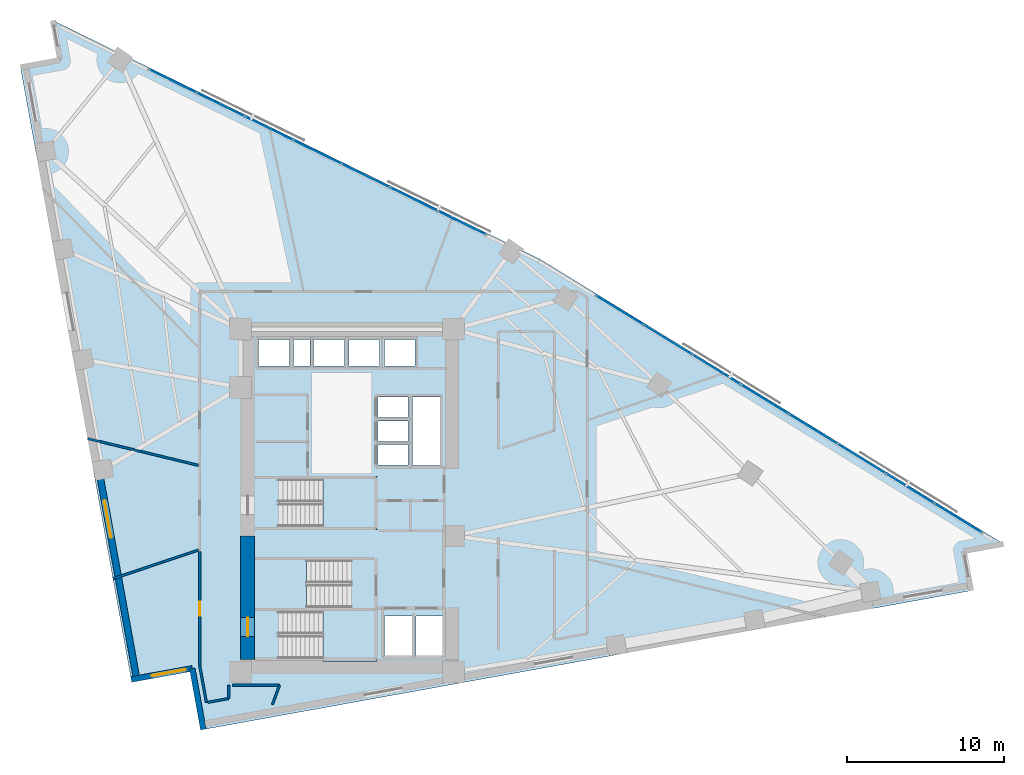
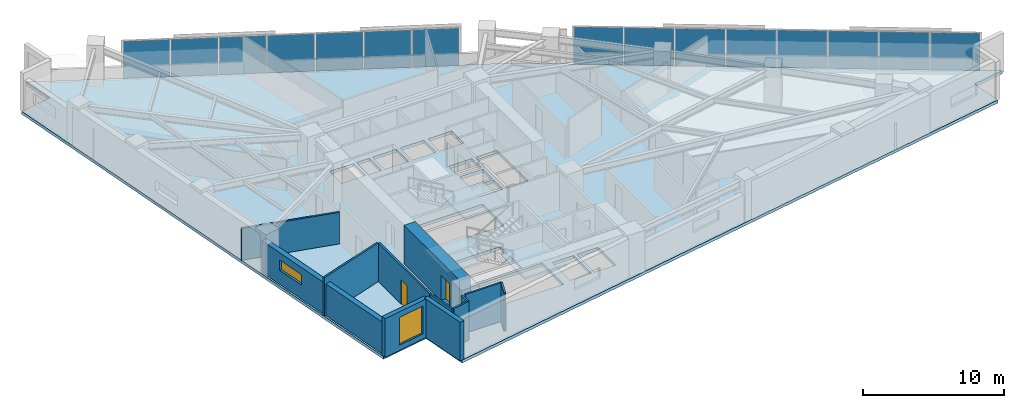
# One storey, part 12 of 18: 15 plates, 12 walls, 4 slabs, 2 doors, 2 windows, 4 openings, 5 elements without a shape of their own.
"""IFC4 building model written with IfcOpenShell, lengths in metres."""

from ifc_helpers import new_model, si_unit, direction, frame, frame_2d, origin, origin_2d, place, context, subcontext, project, spatial, polyline, rectangle, outline, extrude, material, layer, layer_set, type_object, element, fill, aggregate, save


model = new_model("IFC4")

# Units and contexts
model_context = context("Model", 3, precision=1e-05, world=origin(), true_north=direction((0.0, 1.0)))
body_context = subcontext(model_context, "Body", "Model", "MODEL_VIEW")
ifc_project = project(units=[si_unit("LENGTHUNIT", "METRE"), si_unit("AREAUNIT", "SQUARE_METRE"), si_unit("VOLUMEUNIT", "CUBIC_METRE"), si_unit("PLANEANGLEUNIT", "RADIAN"), si_unit("MASSUNIT", "GRAM", prefix="KILO")], contexts=[model_context])

# Site, building, storey
site_placement = place(None, origin())
site = spatial("IfcSite", under=ifc_project, at=site_placement, CompositionType="ELEMENT")
building_placement = place(site_placement, origin())
building = spatial("IfcBuilding", under=site, at=building_placement, Name="Narakoshi Arena Tower", CompositionType="ELEMENT")
storey_placement = place(building_placement, frame((0.0, 0.0, 99.300048828125)))
storey = spatial("IfcBuildingStorey", under=building, at=storey_placement, Name="L26", CompositionType="ELEMENT", Elevation=99.300048828125)

# Curtain wall, plates
ifc_material_1 = material(Name="Anodised bronze aluminium 6063-T6", Category="aluminium")
curtain_wall_type = type_object("IfcCurtainWallType", Name="CW-HYP-LOW", PredefinedType="NOTDEFINED", material=ifc_material_1)
curtain_wall_1_placement = place(storey_placement, origin())
curtain_wall_1 = element("IfcCurtainWall", 1, at=curtain_wall_1_placement, inside=storey, type_object=curtain_wall_type, Name="L26 Folded Hypotenuse Curtain Wall 1-1", PredefinedType="NOTDEFINED")
ifc_material_2 = material(Name="Bronze-tinted low-E laminated glass", Category="glass")
ifc_layer_1 = layer(ifc_material_2, 0.031982421875)
ifc_layer_set_1 = layer_set([ifc_layer_1], Name="Bronze-tinted low-E laminated glass")
plate_type = type_object("IfcPlateType", Name="PLT-GLZ-32", PredefinedType="CURTAIN_PANEL", material=ifc_layer_set_1)
plate_1_placement = place(storey_placement, frame((117.64013671875, 44.483642578125, 0.06494140625), z_axis=(0.0, 0.0, 1.0), x_axis=(-0.852113104237, 0.523357676535, 0.0)))
plate_1 = element("IfcPlate", 2, at=plate_1_placement, type_object=plate_type, Name="CW-01 panel 1.1", PredefinedType="CURTAIN_PANEL", context=body_context, shape_type="SweptSolid", body=[
    extrude(rectangle(XDim=3.498291015625, YDim=0.031982421875, at=origin_2d()), origin(), (0.0, 0.0, 1.0), 3.2099609375),
])
plate_2_placement = place(storey_placement, frame((114.5791015625, 46.36376953125, 0.06494140625), z_axis=(0.0, 0.0, 1.0), x_axis=(-0.852113104237, 0.523357676535, 0.0)))
plate_2 = element("IfcPlate", 3, at=plate_2_placement, type_object=plate_type, Name="CW-01 panel 2.1", PredefinedType="CURTAIN_PANEL", context=body_context, shape_type="SweptSolid", body=[
    extrude(rectangle(XDim=3.535888671875, YDim=0.031982421875, at=origin_2d()), origin(), (0.0, 0.0, 1.0), 3.2099609375),
])
plate_3_placement = place(storey_placement, frame((111.502197265625, 48.25341796875, 0.06494140625), z_axis=(0.0, 0.0, 1.0), x_axis=(-0.852113104237, 0.523357676535, 0.0)))
plate_3 = element("IfcPlate", 4, at=plate_3_placement, type_object=plate_type, Name="CW-01 panel 3.1", PredefinedType="CURTAIN_PANEL", context=body_context, shape_type="SweptSolid", body=[
    extrude(rectangle(XDim=3.535888671875, YDim=0.031982421875, at=origin_2d()), origin(), (0.0, 0.0, 1.0), 3.2099609375),
])
plate_4_placement = place(storey_placement, frame((108.42529296875, 50.143310546875, 0.06494140625), z_axis=(0.0, 0.0, 1.0), x_axis=(-0.852113104237, 0.523357676535, 0.0)))
plate_4 = element("IfcPlate", 5, at=plate_4_placement, type_object=plate_type, Name="CW-01 panel 4.1", PredefinedType="CURTAIN_PANEL", context=body_context, shape_type="SweptSolid", body=[
    extrude(rectangle(XDim=3.535888671875, YDim=0.031982421875, at=origin_2d()), origin(), (0.0, 0.0, 1.0), 3.2099609375),
])
plate_5_placement = place(storey_placement, frame((105.348388671875, 52.032958984375, 0.06494140625), z_axis=(0.0, 0.0, 1.0), x_axis=(-0.852113104237, 0.523357676535, 0.0)))
plate_5 = element("IfcPlate", 6, at=plate_5_placement, type_object=plate_type, Name="CW-01 panel 5.1", PredefinedType="CURTAIN_PANEL", context=body_context, shape_type="SweptSolid", body=[
    extrude(rectangle(XDim=3.535888671875, YDim=0.031982421875, at=origin_2d()), origin(), (0.0, 0.0, 1.0), 3.2099609375),
])
plate_6_placement = place(storey_placement, frame((102.271728515625, 53.9228515625, 0.06494140625), z_axis=(0.0, 0.0, 1.0), x_axis=(-0.852113104237, 0.523357676535, 0.0)))
plate_6 = element("IfcPlate", 7, at=plate_6_placement, type_object=plate_type, Name="CW-01 panel 6.1", PredefinedType="CURTAIN_PANEL", context=body_context, shape_type="SweptSolid", body=[
    extrude(rectangle(XDim=3.535888671875, YDim=0.031982421875, at=origin_2d()), origin(), (0.0, 0.0, 1.0), 3.2099609375),
])
plate_7_placement = place(storey_placement, frame((99.19482421875, 55.8125, 0.06494140625), z_axis=(0.0, 0.0, 1.0), x_axis=(-0.852113104237, 0.523357676535, 0.0)))
plate_7 = element("IfcPlate", 8, at=plate_7_placement, type_object=plate_type, Name="CW-01 panel 7.1", PredefinedType="CURTAIN_PANEL", context=body_context, shape_type="SweptSolid", body=[
    extrude(rectangle(XDim=3.535888671875, YDim=0.031982421875, at=origin_2d()), origin(), (0.0, 0.0, 1.0), 3.2099609375),
])
plate_8_placement = place(storey_placement, frame((96.1337890625, 57.692626953125, 0.06494140625), z_axis=(0.0, 0.0, 1.0), x_axis=(-0.852113104237, 0.523357676535, 0.0)))
plate_8 = element("IfcPlate", 9, at=plate_8_placement, type_object=plate_type, Name="CW-01 panel 8.1", PredefinedType="CURTAIN_PANEL", context=body_context, shape_type="SweptSolid", body=[
    extrude(rectangle(XDim=3.498291015625, YDim=0.031982421875, at=origin_2d()), origin(), (0.0, 0.0, 1.0), 3.2099609375),
])
aggregate(curtain_wall_1, [plate_1, plate_2, plate_3, plate_4, plate_5, plate_6, plate_7, plate_8])

curtain_wall_2_placement = place(storey_placement, origin())
curtain_wall_2 = element("IfcCurtainWall", 10, at=curtain_wall_2_placement, inside=storey, type_object=curtain_wall_type, Name="L26 Folded Hypotenuse Curtain Wall 2-1", PredefinedType="NOTDEFINED")
plate_9_placement = place(storey_placement, frame((86.0791015625, 63.259765625, 0.06494140625), z_axis=(0.0, 0.0, 1.0), x_axis=(-0.89799556291, 0.440004510198, 0.0)))
plate_9 = element("IfcPlate", 11, at=plate_9_placement, type_object=plate_type, Name="CW-01 panel 1.1", PredefinedType="CURTAIN_PANEL", context=body_context, shape_type="SweptSolid", body=[
    extrude(rectangle(XDim=3.309814453125, YDim=0.031982421875, at=origin_2d()), origin(), (0.0, 0.0, 1.0), 3.2099609375),
])
plate_10_placement = place(storey_placement, frame((83.022705078125, 64.75732421875, 0.06494140625), z_axis=(0.0, 0.0, 1.0), x_axis=(-0.89799556291, 0.440004510198, 0.0)))
plate_10 = element("IfcPlate", 12, at=plate_10_placement, type_object=plate_type, Name="CW-01 panel 2.1", PredefinedType="CURTAIN_PANEL", context=body_context, shape_type="SweptSolid", body=[
    extrude(rectangle(XDim=3.347412109375, YDim=0.031982421875, at=origin_2d()), origin(), (0.0, 0.0, 1.0), 3.2099609375),
])
plate_11_placement = place(storey_placement, frame((79.949462890625, 66.26318359375, 0.06494140625), z_axis=(0.0, 0.0, 1.0), x_axis=(-0.89799556291, 0.440004510198, 0.0)))
plate_11 = element("IfcPlate", 13, at=plate_11_placement, type_object=plate_type, Name="CW-01 panel 3.1", PredefinedType="CURTAIN_PANEL", context=body_context, shape_type="SweptSolid", body=[
    extrude(rectangle(XDim=3.347412109375, YDim=0.031982421875, at=origin_2d()), origin(), (0.0, 0.0, 1.0), 3.2099609375),
])
plate_12_placement = place(storey_placement, frame((76.8759765625, 67.76904296875, 0.06494140625), z_axis=(0.0, 0.0, 1.0), x_axis=(-0.89799556291, 0.440004510198, 0.0)))
plate_12 = element("IfcPlate", 14, at=plate_12_placement, type_object=plate_type, Name="CW-01 panel 4.1", PredefinedType="CURTAIN_PANEL", context=body_context, shape_type="SweptSolid", body=[
    extrude(rectangle(XDim=3.347412109375, YDim=0.031982421875, at=origin_2d()), origin(), (0.0, 0.0, 1.0), 3.2099609375),
])
plate_13_placement = place(storey_placement, frame((73.802734375, 69.27490234375, 0.06494140625), z_axis=(0.0, 0.0, 1.0), x_axis=(-0.89799556291, 0.440004510198, 0.0)))
plate_13 = element("IfcPlate", 15, at=plate_13_placement, type_object=plate_type, Name="CW-01 panel 5.1", PredefinedType="CURTAIN_PANEL", context=body_context, shape_type="SweptSolid", body=[
    extrude(rectangle(XDim=3.347412109375, YDim=0.031982421875, at=origin_2d()), origin(), (0.0, 0.0, 1.0), 3.2099609375),
])
plate_14_placement = place(storey_placement, frame((70.7294921875, 70.781005859375, 0.06494140625), z_axis=(0.0, 0.0, 1.0), x_axis=(-0.89799556291, 0.440004510198, 0.0)))
plate_14 = element("IfcPlate", 16, at=plate_14_placement, type_object=plate_type, Name="CW-01 panel 6.1", PredefinedType="CURTAIN_PANEL", context=body_context, shape_type="SweptSolid", body=[
    extrude(rectangle(XDim=3.347412109375, YDim=0.031982421875, at=origin_2d()), origin(), (0.0, 0.0, 1.0), 3.2099609375),
])
plate_15_placement = place(storey_placement, frame((67.673095703125, 72.278564453125, 0.06494140625), z_axis=(0.0, 0.0, 1.0), x_axis=(-0.89799556291, 0.440004510198, 0.0)))
plate_15 = element("IfcPlate", 17, at=plate_15_placement, type_object=plate_type, Name="CW-01 panel 7.1", PredefinedType="CURTAIN_PANEL", context=body_context, shape_type="SweptSolid", body=[
    extrude(rectangle(XDim=3.309814453125, YDim=0.031982421875, at=origin_2d()), origin(), (0.0, 0.0, 1.0), 3.2099609375),
])
aggregate(curtain_wall_2, [plate_9, plate_10, plate_11, plate_12, plate_13, plate_14, plate_15])

# Stair, slab
ifc_material_3 = material(Name="Concrete C45/55", Category="concrete")
stair_type = type_object("IfcStairType", Name="STR-CORE-360", PredefinedType="TWO_STRAIGHT_RUN_STAIR", material=ifc_material_3)
stair_1_placement = place(storey_placement, origin())
stair_1 = element("IfcStair", 18, at=stair_1_placement, inside=storey, type_object=stair_type, Name="L26 Core Escape Stair ST1", PredefinedType="TWO_STRAIGHT_RUN_STAIR")
ifc_layer_2 = layer(ifc_material_3, 0.18994140625)
ifc_layer_set_2 = layer_set([ifc_layer_2], Name="Concrete C45/55")
slab_type_1 = type_object("IfcSlabType", Name="SLB-LND-190", PredefinedType="LANDING", material=ifc_layer_set_2)
slab_1_placement = place(storey_placement, frame((0.0, 0.0, 1.60986328125)))
slab_1 = element("IfcSlab", 19, at=slab_1_placement, type_object=slab_type_1, Name="ST1 landing 1", PredefinedType="LANDING", context=body_context, shape_type="SweptSolid", body=[
    extrude(outline(polyline([(77.25, 35.3701171875), (80.679931640625, 35.3701171875), (80.679931640625, 38.72998046875), (77.25, 38.72998046875), (77.25, 35.3701171875)])), origin(), (0.0, 0.0, 1.0), 0.190185546875),
])
aggregate(stair_1, [slab_1])

stair_2_placement = place(storey_placement, origin())
stair_2 = element("IfcStair", 20, at=stair_2_placement, inside=storey, type_object=stair_type, Name="L26 Core Escape Stair ST2", PredefinedType="TWO_STRAIGHT_RUN_STAIR")
slab_2_placement = place(storey_placement, frame((0.0, 0.0, 1.60986328125)))
slab_2 = element("IfcSlab", 21, at=slab_2_placement, type_object=slab_type_1, Name="ST2 landing 1", PredefinedType="LANDING", context=body_context, shape_type="SweptSolid", body=[
    extrude(outline(polyline([(72.77001953125, 38.6201171875), (76.199951171875, 38.6201171875), (76.199951171875, 41.97998046875), (72.77001953125, 41.97998046875), (72.77001953125, 38.6201171875)])), origin(), (0.0, 0.0, 1.0), 0.190185546875),
])
aggregate(stair_2, [slab_2])

stair_3_placement = place(storey_placement, origin())
stair_3 = element("IfcStair", 22, at=stair_3_placement, inside=storey, type_object=stair_type, Name="L26 Core Escape Stair ST3", PredefinedType="TWO_STRAIGHT_RUN_STAIR")
slab_3_placement = place(storey_placement, frame((0.0, 0.0, 1.60986328125)))
slab_3 = element("IfcSlab", 23, at=slab_3_placement, type_object=slab_type_1, Name="ST3 landing 1", PredefinedType="LANDING", context=body_context, shape_type="SweptSolid", body=[
    extrude(outline(polyline([(77.25, 43.77001953125), (80.679931640625, 43.77001953125), (80.679931640625, 47.1298828125), (77.25, 47.1298828125), (77.25, 43.77001953125)])), origin(), (0.0, 0.0, 1.0), 0.190185546875),
])
aggregate(stair_3, [slab_3])

# Slab
ifc_material_4 = material(Name="Concrete C50/60", Category="concrete")
ifc_layer_3 = layer(ifc_material_4, 0.260009765625)
ifc_layer_set_3 = layer_set([ifc_layer_3], Name="Concrete C50/60")
slab_type_2 = type_object("IfcSlabType", Name="SLB-SKY-260", PredefinedType="FLOOR", material=ifc_layer_set_3)
slab_4_placement = place(storey_placement, frame((0.0, 0.0, -0.260009765625)))
element("IfcSlab", 24, at=slab_4_placement, inside=storey, type_object=slab_type_2, Name="L26 Structural Floor Slab", PredefinedType="FLOOR", context=body_context, shape_type="SweptSolid", body=[
    extrude(outline(polyline([(69.626953125, 31.03271484375), (118.466796875, 39.8642578125), (118.01025390625, 42.3896484375), (120.535400390625, 42.84619140625), (91.034912109375, 60.965087890625), (60.066162109375, 76.139404296875), (60.522705078125, 73.614013671875), (57.99755859375, 73.157470703125), (65.039306640625, 34.215087890625), (68.92431640625, 34.91748046875), (69.626953125, 31.03271484375)]), holes=[polyline([(80.5, 35.550048828125), (74.47998046875, 35.550048828125), (74.47998046875, 38.550048828125), (80.5, 38.550048828125), (80.5, 35.550048828125)]), polyline([(82.89990234375, 35.75), (81.14990234375, 35.75), (81.14990234375, 38.25), (82.89990234375, 38.25), (82.89990234375, 35.75)]), polyline([(83.14990234375, 35.75), (83.14990234375, 38.25), (84.89990234375, 38.25), (84.89990234375, 35.75), (83.14990234375, 35.75)]), polyline([(72.949951171875, 38.800048828125), (72.949951171875, 41.800048828125), (78.969970703125, 41.800048828125), (78.969970703125, 38.800048828125), (72.949951171875, 38.800048828125)]), polyline([(74.47998046875, 43.949951171875), (74.47998046875, 46.949951171875), (80.5, 46.949951171875), (80.5, 43.949951171875), (74.47998046875, 43.949951171875)]), polyline([(82.949951171875, 47.840087890625), (82.949951171875, 52.199951171875), (84.699951171875, 52.199951171875), (84.699951171875, 47.840087890625), (82.949951171875, 47.840087890625)]), polyline([(80.75, 47.85009765625), (80.75, 49.14990234375), (82.64990234375, 49.14990234375), (82.64990234375, 47.85009765625), (80.75, 47.85009765625)]), polyline([(80.75, 49.3701171875), (80.75, 50.669921875), (82.64990234375, 50.669921875), (82.64990234375, 49.3701171875), (80.75, 49.3701171875)]), polyline([(80.75, 50.889892578125), (80.75, 52.18994140625), (82.64990234375, 52.18994140625), (82.64990234375, 50.889892578125), (80.75, 50.889892578125)]), polyline([(73.14990234375, 54.14990234375), (73.14990234375, 55.85009765625), (75.10009765625, 55.85009765625), (75.10009765625, 54.14990234375), (73.14990234375, 54.14990234375)]), polyline([(75.35009765625, 54.14990234375), (75.35009765625, 55.85009765625), (76.39990234375, 55.85009765625), (76.39990234375, 54.14990234375), (75.35009765625, 54.14990234375)]), polyline([(76.64990234375, 54.14990234375), (76.64990234375, 55.85009765625), (78.60009765625, 55.85009765625), (78.60009765625, 54.14990234375), (76.64990234375, 54.14990234375)]), polyline([(78.89990234375, 54.14990234375), (78.89990234375, 55.85009765625), (80.85009765625, 55.85009765625), (80.85009765625, 54.14990234375), (78.89990234375, 54.14990234375)]), polyline([(81.14990234375, 54.14990234375), (81.14990234375, 55.85009765625), (83.10009765625, 55.85009765625), (83.10009765625, 54.14990234375), (81.14990234375, 54.14990234375)])]), origin(), (0.0, 0.0, 1.0), 0.260009765625),
])

# Wall, opening, door
ifc_material_5 = material(Name="Concrete C60/75", Category="concrete")
ifc_layer_4 = layer(ifc_material_5, 0.89990234375)
ifc_layer_set_4 = layer_set([ifc_layer_4], Name="Concrete C60/75")
wall_type_1 = type_object("IfcWallType", Name="WL-CORE-900", PredefinedType="SHEAR", material=ifc_layer_set_4)
wall_1_placement = place(storey_placement, frame((72.449951171875, 35.5, -0.260009765625), z_axis=(0.0, 0.0, 1.0), x_axis=(0.0, 1.0, 0.0)))
wall_1 = element("IfcWall", 25, at=wall_1_placement, inside=storey, type_object=wall_type_1, Name="L26 Central Core Shear Wall CW-APX-W", PredefinedType="SHEAR", context=body_context, shape_type="SweptSolid", body=[
    extrude(rectangle(XDim=7.85009765625, YDim=0.89990234375, at=frame_2d((3.925048828125, 0.0))), origin(), (0.0, 0.0, 1.0), 3.599853515625),
])
opening_1_placement = place(wall_1_placement, frame((1.449951171875, 0.0, 0.260009765625)))
opening_1 = element("IfcOpeningElement", 26, at=opening_1_placement, cuts=wall_1, Name="Opening D-03", PredefinedType="OPENING", context=body_context, shape_type="SweptSolid", body=[
    extrude(rectangle(XDim=1.199951171875, YDim=2.199951171875, at=frame_2d((0.60009765625, 1.10009765625))), frame((0.0, 0.4599609375, 0.0), z_axis=(0.0, -1.0, 0.0), x_axis=(1.0, 0.0, 0.0)), (0.0, 0.0, 1.0), 0.919921875),
])
ifc_material_6 = material(Name="Painted galvanized steel", Category="steel")
door_type_1 = type_object("IfcDoorType", Name="DR-STR-1200", OperationType="NOTDEFINED", PredefinedType="USERDEFINED", material=ifc_material_6)
door_1_placement = place(opening_1_placement, frame((1.199951171875, 0.0, 0.0), z_axis=(0.0, 0.0, 1.0), x_axis=(-1.0, 0.0, 0.0)))
door_1 = element("IfcDoor", 27, at=door_1_placement, inside=storey, type_object=door_type_1, Name="DR-L26-001", ObjectType="EXITDOOR", OperationType="SINGLE_SWING_LEFT", OverallHeight=2.199951171875, OverallWidth=1.199951171875, PredefinedType="USERDEFINED", context=body_context, shape_type="SweptSolid", body=[
    extrude(rectangle(XDim=1.199951171875, YDim=2.199951171875, at=frame_2d((0.60009765625, 1.10009765625))), frame((0.0, 0.02490234375, 0.0), z_axis=(0.0, -1.0, 0.0), x_axis=(1.0, 0.0, 0.0)), (0.0, 0.0, 1.0), 0.050048828125),
])
fill(opening_1, door_1)

# Wall, opening, window
ifc_material_7 = material(Name="Precast concrete C45/55", Category="concrete")
ifc_layer_5 = layer(ifc_material_7, 0.419921875)
ifc_layer_set_5 = layer_set([ifc_layer_5], Name="Precast concrete C45/55")
wall_type_2 = type_object("IfcWallType", Name="WL-POD-420", PredefinedType="SOLIDWALL", material=ifc_layer_set_5)
wall_2_placement = place(storey_placement, frame((62.989501953125, 47.517578125, 0.0), z_axis=(0.0, 0.0, 1.0), x_axis=(0.177948058674, -0.984039881516, 0.0)))
wall_2 = element("IfcWall", 28, at=wall_2_placement, inside=storey, type_object=wall_type_2, Name="L26 Architectural Concrete Facade Wall LEGB-3", PredefinedType="SOLIDWALL", context=body_context, shape_type="SweptSolid", body=[
    extrude(rectangle(XDim=13.455078125, YDim=0.419921875, at=frame_2d((6.7275390625, 0.0))), origin(), (0.0, 0.0, 1.0), 2.724853515625),
])
opening_2_placement = place(wall_2_placement, frame((1.945068359375, 0.0, 1.199951171875)))
opening_2 = element("IfcOpeningElement", 29, at=opening_2_placement, cuts=wall_2, Name="Opening WN-01", PredefinedType="OPENING", context=body_context, shape_type="SweptSolid", body=[
    extrude(rectangle(XDim=2.39990234375, YDim=0.89990234375, at=frame_2d((1.199951171875, 0.449951171875))), frame((0.0, 0.219970703125, 0.0), z_axis=(0.0, -1.0, 0.0), x_axis=(1.0, 0.0, 0.0)), (0.0, 0.0, 1.0), 0.43994140625),
])
window_type_1 = type_object("IfcWindowType", Name="WIN-SLT-24x09", PartitioningType="SINGLE_PANEL", PredefinedType="WINDOW", material=ifc_material_2)
window_1_placement = place(opening_2_placement, origin())
window_1 = element("IfcWindow", 30, at=window_1_placement, inside=storey, type_object=window_type_1, Name="L26 LEGB3 Horizontal Slot Window 1", OverallHeight=0.89990234375, OverallWidth=2.39990234375, PartitioningType="SINGLE_PANEL", PredefinedType="WINDOW", context=body_context, shape_type="SweptSolid", body=[
    extrude(rectangle(XDim=2.39990234375, YDim=0.89990234375, at=frame_2d((1.199951171875, 0.449951171875))), frame((0.0, 0.030029296875, 0.0), z_axis=(0.0, -1.0, 0.0), x_axis=(1.0, 0.0, 0.0)), (0.0, 0.0, 1.0), 0.06005859375),
])
fill(opening_2, window_1)

wall_3_placement = place(storey_placement, frame((65.039306640625, 34.215087890625, 0.0), z_axis=(0.0, 0.0, 1.0), x_axis=(0.984046535247, 0.177911260096, 0.0)))
wall_3 = element("IfcWall", 31, at=wall_3_placement, inside=storey, type_object=wall_type_2, Name="L26 Re-Entrant Corner Notch Wall NTA-1", PredefinedType="SOLIDWALL", context=body_context, shape_type="SweptSolid", body=[
    extrude(rectangle(XDim=3.947998046875, YDim=0.360107421875, at=frame_2d((1.97412109375, 0.0))), origin(), (0.0, 0.0, 1.0), 3.33984375),
])
opening_3_placement = place(wall_3_placement, frame((1.319091796875, 0.0, 0.449951171875)))
opening_3 = element("IfcOpeningElement", 32, at=opening_3_placement, cuts=wall_3, Name="Opening WN-07", PredefinedType="OPENING", context=body_context, shape_type="SweptSolid", body=[
    extrude(rectangle(XDim=2.199951171875, YDim=2.39990234375, at=frame_2d((1.10009765625, 1.199951171875))), frame((0.0, 0.18994140625, 0.0), z_axis=(0.0, -1.0, 0.0), x_axis=(1.0, 0.0, 0.0)), (0.0, 0.0, 1.0), 0.380126953125),
])
window_type_2 = type_object("IfcWindowType", Name="WIN-NTC-22x24", PartitioningType="SINGLE_PANEL", PredefinedType="WINDOW", material=ifc_material_2)
window_2_placement = place(opening_3_placement, origin())
window_2 = element("IfcWindow", 33, at=window_2_placement, inside=storey, type_object=window_type_2, Name="L26 Corner Notch Window NTA", OverallHeight=2.39990234375, OverallWidth=2.199951171875, PartitioningType="SINGLE_PANEL", PredefinedType="WINDOW", context=body_context, shape_type="SweptSolid", body=[
    extrude(rectangle(XDim=2.199951171875, YDim=2.39990234375, at=frame_2d((1.10009765625, 1.199951171875))), frame((0.0, 0.030029296875, 0.0), z_axis=(0.0, -1.0, 0.0), x_axis=(1.0, 0.0, 0.0)), (0.0, 0.0, 1.0), 0.06005859375),
])
fill(opening_3, window_2)

# Walls
wall_4_placement = place(storey_placement, frame((68.92431640625, 34.91748046875, 0.0), z_axis=(0.0, 0.0, 1.0), x_axis=(0.177981971326, -0.984033748346, 0.0)))
element("IfcWall", 34, at=wall_4_placement, inside=storey, type_object=wall_type_2, Name="L26 Re-Entrant Corner Notch Wall NTA-2", PredefinedType="SOLIDWALL", context=body_context, shape_type="SweptSolid", body=[
    extrude(rectangle(XDim=3.94775390625, YDim=0.360107421875, at=frame_2d((1.973876953125, 0.0))), origin(), (0.0, 0.0, 1.0), 3.33984375),
])
ifc_material_8 = material(Name="Moisture-resistant cement-board partition")
ifc_layer_6 = layer(ifc_material_8, 0.14501953125)
ifc_layer_set_6 = layer_set([ifc_layer_6], Name="Moisture-resistant cement-board partition")
wall_type_3 = type_object("IfcWallType", Name="WL-WET-145", PredefinedType="PARTITIONING", material=ifc_layer_set_6)
wall_5_placement = place(storey_placement, frame((69.3154296875, 42.4462890625, 0.0), z_axis=(0.0, 0.0, 1.0), x_axis=(-0.948316351799, -0.317326483152, 0.0)))
element("IfcWall", 35, at=wall_5_placement, inside=storey, type_object=wall_type_3, Name="L26 Inter-Room Partition 01-02", PredefinedType="PARTITIONING", context=body_context, shape_type="SweptSolid", body=[
    extrude(rectangle(XDim=5.731689453125, YDim=0.14501953125, at=frame_2d((2.86572265625, 0.0))), origin(), (0.0, 0.0, 1.0), 3.33984375),
])
wall_6_placement = place(storey_placement, frame((62.2685546875, 49.53857421875, 0.0), z_axis=(0.0, 0.0, 1.0), x_axis=(0.972098894047, -0.234571396793, 0.0)))
element("IfcWall", 36, at=wall_6_placement, inside=storey, type_object=wall_type_3, Name="L26 Inter-Room Partition 01-09", PredefinedType="PARTITIONING", context=body_context, shape_type="SweptSolid", body=[
    extrude(rectangle(XDim=7.2490234375, YDim=0.14501953125, at=frame_2d((3.62451171875, 0.0))), origin(), (0.0, 0.0, 1.0), 2.724853515625),
])

# Wall, opening, door
wall_7_placement = place(storey_placement, frame((69.39990234375, 42.350830078125, 0.0), z_axis=(0.0, 0.0, 1.0), x_axis=(0.0, -1.0, 0.0)))
wall_7 = element("IfcWall", 37, at=wall_7_placement, inside=storey, type_object=wall_type_3, Name="L26 Corridor Partition 02-1", PredefinedType="PARTITIONING", context=body_context, shape_type="SweptSolid", body=[
    extrude(rectangle(XDim=7.25341796875, YDim=0.14501953125, at=frame_2d((3.626708984375, 0.0))), origin(), (0.0, 0.0, 1.0), 3.33984375),
])
opening_4_placement = place(wall_7_placement, frame((3.1767578125, 0.0, 0.0)))
opening_4 = element("IfcOpeningElement", 38, at=opening_4_placement, cuts=wall_7, Name="Opening D-08", PredefinedType="OPENING", context=body_context, shape_type="SweptSolid", body=[
    extrude(rectangle(XDim=0.89990234375, YDim=2.10009765625, at=frame_2d((0.449951171875, 1.050048828125))), frame((0.0, 0.08251953125, 0.0), z_axis=(0.0, -1.0, 0.0), x_axis=(1.0, 0.0, 0.0)), (0.0, 0.0, 1.0), 0.1650390625),
])
ifc_material_9 = material(Name="Moisture-resistant laminate timber", Category="wood")
door_type_2 = type_object("IfcDoorType", Name="DR-WC-900", OperationType="NOTDEFINED", PredefinedType="DOOR", material=ifc_material_9)
door_2_placement = place(opening_4_placement, frame((0.89990234375, 0.0, 0.0), z_axis=(0.0, 0.0, 1.0), x_axis=(-1.0, 0.0, 0.0)))
door_2 = element("IfcDoor", 39, at=door_2_placement, inside=storey, type_object=door_type_2, Name="DR-L26-016", OperationType="SINGLE_SWING_LEFT", OverallHeight=2.10009765625, OverallWidth=0.89990234375, PredefinedType="DOOR", context=body_context, shape_type="SweptSolid", body=[
    extrude(rectangle(XDim=0.89990234375, YDim=2.10009765625, at=frame_2d((0.449951171875, 1.050048828125))), frame((0.0, 0.02490234375, 0.0), z_axis=(0.0, -1.0, 0.0), x_axis=(1.0, 0.0, 0.0)), (0.0, 0.0, 1.0), 0.050048828125),
])
fill(opening_4, door_2)

# Walls
wall_8_placement = place(storey_placement, frame((69.39990234375, 35.097412109375, 0.0), z_axis=(0.0, 0.0, 1.0), x_axis=(0.177914684573, -0.98404591611, 0.0)))
element("IfcWall", 40, at=wall_8_placement, inside=storey, type_object=wall_type_3, Name="L26 Corridor Partition 02-2", PredefinedType="PARTITIONING", context=body_context, shape_type="SweptSolid", body=[
    extrude(rectangle(XDim=2.390380859375, YDim=0.14501953125, at=frame_2d((1.1953125, 0.0))), origin(), (0.0, 0.0, 1.0), 3.33984375),
])
wall_9_placement = place(storey_placement, frame((69.908447265625, 32.76025390625, 0.0), z_axis=(0.0, 0.0, 1.0), x_axis=(0.984029967613, 0.178002873122, 0.0)))
element("IfcWall", 41, at=wall_9_placement, inside=storey, type_object=wall_type_3, Name="L26 Corridor Partition 02-3", PredefinedType="PARTITIONING", context=body_context, shape_type="SweptSolid", body=[
    extrude(rectangle(XDim=1.36328125, YDim=0.14501953125, at=frame_2d((0.681640625, 0.0))), origin(), (0.0, 0.0, 1.0), 3.33984375),
])
wall_10_placement = place(storey_placement, frame((71.25, 33.0029296875, 0.0), z_axis=(0.0, 0.0, 1.0), x_axis=(0.0, 1.0, 0.0)))
element("IfcWall", 42, at=wall_10_placement, inside=storey, type_object=wall_type_3, Name="L26 Corridor Partition 02-4", PredefinedType="PARTITIONING", context=body_context, shape_type="SweptSolid", body=[
    extrude(rectangle(XDim=0.84716796875, YDim=0.14501953125, at=frame_2d((0.423583984375, 0.0))), origin(), (0.0, 0.0, 1.0), 3.33984375),
])
wall_11_placement = place(storey_placement, frame((71.482421875, 33.85009765625, 0.0), z_axis=(0.0, 0.0, 1.0), x_axis=(1.0, 0.0, 0.0)))
element("IfcWall", 43, at=wall_11_placement, inside=storey, type_object=wall_type_3, Name="L26 Room Enclosure Partition 02-1", PredefinedType="PARTITIONING", context=body_context, shape_type="SweptSolid", body=[
    extrude(rectangle(XDim=2.9931640625, YDim=0.14501953125, at=frame_2d((1.49658203125, 0.0))), origin(), (0.0, 0.0, 1.0), 3.33984375),
])
wall_12_placement = place(storey_placement, frame((74.4755859375, 33.85009765625, 0.0), z_axis=(0.0, 0.0, 1.0), x_axis=(-0.344495644984, -0.938787915659, 0.0)))
element("IfcWall", 44, at=wall_12_placement, inside=storey, type_object=wall_type_3, Name="L26 Room Enclosure Partition 02-2", PredefinedType="PARTITIONING", context=body_context, shape_type="SweptSolid", body=[
    extrude(rectangle(XDim=1.3095703125, YDim=0.14501953125, at=frame_2d((0.65478515625, 0.0))), origin(), (0.0, 0.0, 1.0), 3.33984375),
])

save(model, "model.ifc")
